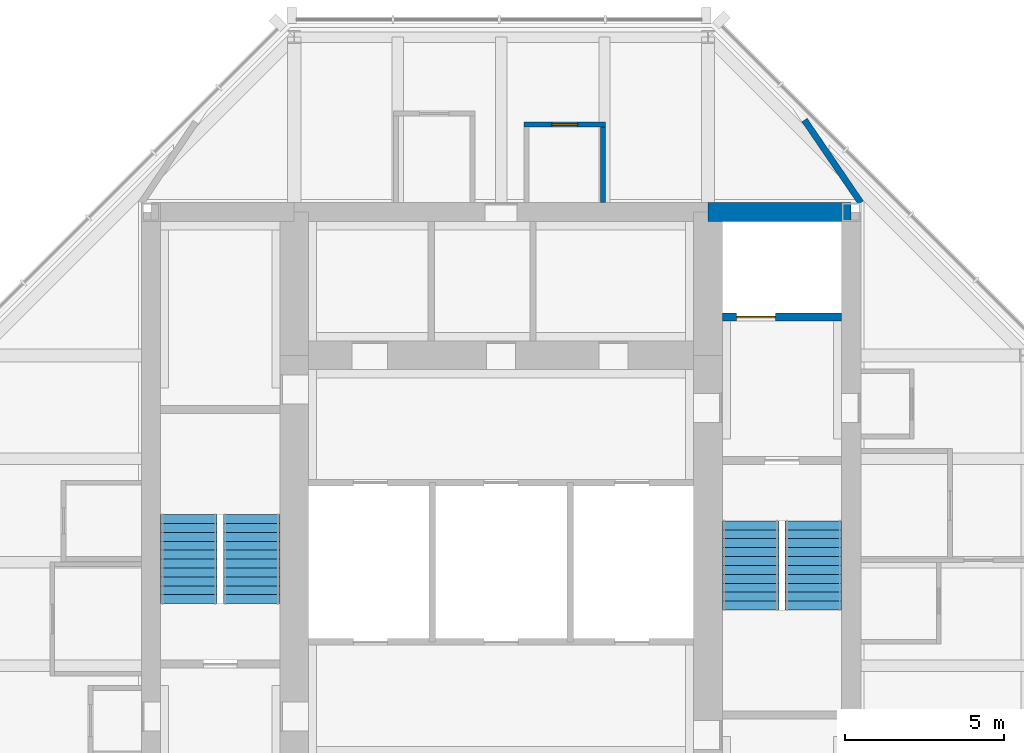
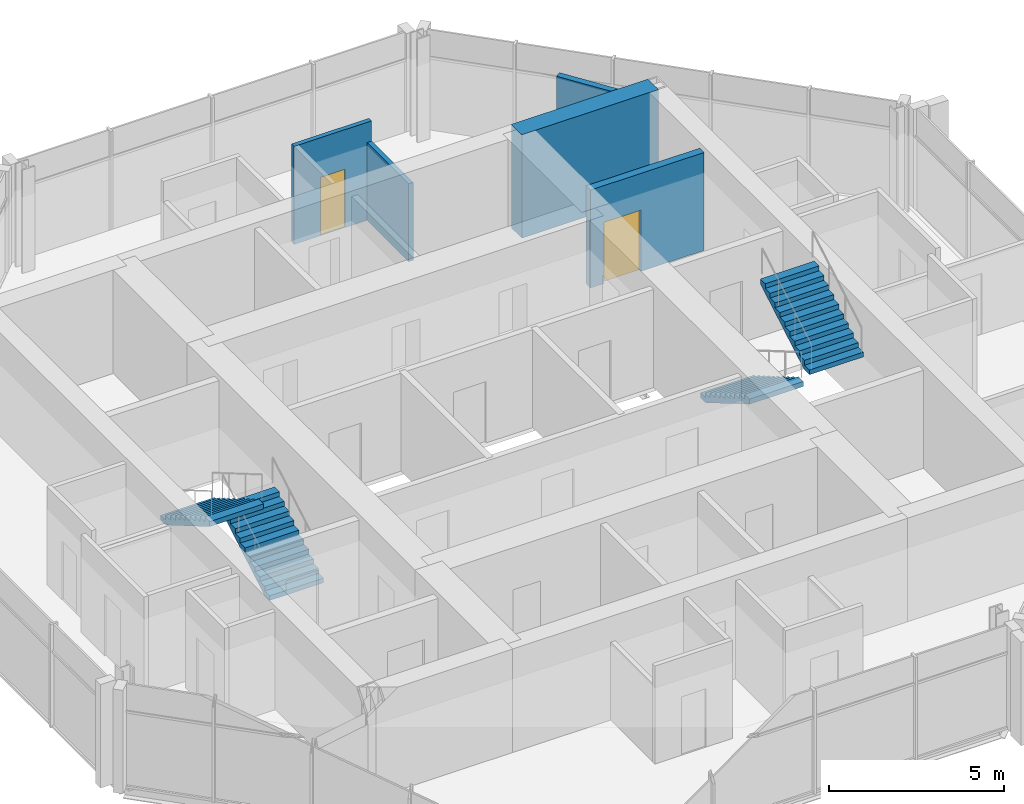
# One storey, part 7 of 8: 5 walls, 4 stair flights, 2 doors, 2 openings, 2 elements without a shape of their own.
"""IFC4 building model written with IfcOpenShell, lengths in metres."""

from ifc_helpers import new_model, si_unit, direction, frame, frame_2d, origin, place, context, subcontext, project, spatial, polyline, rectangle, outline, extrude, material, layer, layer_set, type_object, element, fill, aggregate, save


model = new_model("IFC4")

# Units and contexts
model_context = context("Model", 3, precision=1e-05, world=origin(), true_north=direction((0.0, 1.0)))
body_context = subcontext(model_context, "Body", "Model", "MODEL_VIEW")
ifc_project = project(units=[si_unit("LENGTHUNIT", "METRE"), si_unit("AREAUNIT", "SQUARE_METRE"), si_unit("VOLUMEUNIT", "CUBIC_METRE"), si_unit("PLANEANGLEUNIT", "RADIAN"), si_unit("MASSUNIT", "GRAM", prefix="KILO")], contexts=[model_context])

# Site, building, storey
site_placement = place(None, origin())
site = spatial("IfcSite", under=ifc_project, at=site_placement, CompositionType="ELEMENT")
building_placement = place(site_placement, origin())
building = spatial("IfcBuilding", under=site, at=building_placement, Name="Trevanion Tower", CompositionType="ELEMENT")
storey_placement = place(building_placement, frame((0.0, 0.0, 266.800048828125)))
storey = spatial("IfcBuildingStorey", under=building, at=storey_placement, Name="L65", CompositionType="ELEMENT", Elevation=266.800048828125)

# Wall
ifc_material_1 = material(Name="Concrete 10,000 psi", Category="concrete")
ifc_layer_1 = layer(ifc_material_1, 0.60009765625)
ifc_layer_set_1 = layer_set([ifc_layer_1], Name="CW1 core wall 600")
wall_type_1 = type_object("IfcWallType", Name="CW1 core wall 600", PredefinedType="SHEAR", material=ifc_layer_set_1)
wall_1_placement = place(storey_placement, frame((11.0, 11.0, 0.0), z_axis=(0.0, 0.0, 1.0), x_axis=(-1.0, 0.0, 0.0)))
element("IfcWall", 1, at=wall_1_placement, inside=storey, type_object=wall_type_1, Name="CW1 CN1 L65", PredefinedType="SHEAR", context=body_context, shape_type="SweptSolid", body=[
    extrude(rectangle(XDim=4.5, YDim=0.60009765625, at=frame_2d((2.25, 0.0))), origin(), (0.0, 0.0, 1.0), 3.599853515625),
])

# Wall, opening, door
ifc_material_2 = material(Name="Gypsum board on steel studs", Category="steel")
ifc_layer_2 = layer(ifc_material_2, 0.14990234375)
ifc_layer_set_2 = layer_set([ifc_layer_2], Name="PT1 partition 150")
wall_type_2 = type_object("IfcWallType", Name="PT1 partition 150", PredefinedType="PARTITIONING", material=ifc_layer_set_2)
wall_2_placement = place(storey_placement, frame((3.27490234375, 13.75, 0.0), z_axis=(0.0, 0.0, 1.0), x_axis=(-1.0, 0.0, 0.0)))
wall_2 = element("IfcWall", 2, at=wall_2_placement, inside=storey, type_object=wall_type_2, Name="PT1 L65 RNTF", PredefinedType="PARTITIONING", context=body_context, shape_type="SweptSolid", body=[
    extrude(rectangle(XDim=2.5498046875, YDim=0.14990234375, at=frame_2d((1.27490234375, 0.0))), origin(), (0.0, 0.0, 1.0), 3.409912109375),
])
opening_1_placement = place(wall_2_placement, frame((0.868408203125, 0.0, 0.0)))
opening_1 = element("IfcOpeningElement", 3, at=opening_1_placement, cuts=wall_2, Name="Opening 65-031", PredefinedType="OPENING", context=body_context, shape_type="SweptSolid", body=[
    extrude(rectangle(XDim=0.81298828125, YDim=2.031982421875, at=frame_2d((0.406494140625, 1.01611328125))), frame((0.0, 0.0849609375, 0.0), z_axis=(0.0, -1.0, 0.0), x_axis=(1.0, 0.0, 0.0)), (0.0, 0.0, 1.0), 0.169921875),
])
ifc_material_3 = material(Name="Timber veneer", Category="wood")
door_type_1 = type_object("IfcDoorType", Name="D14 residence bathroom door", OperationType="SINGLE_SWING_LEFT", PredefinedType="DOOR", material=ifc_material_3)
door_1_placement = place(opening_1_placement, origin())
door_1 = element("IfcDoor", 4, at=door_1_placement, inside=storey, type_object=door_type_1, Name="Door 65-031", OperationType="SINGLE_SWING_LEFT", OverallHeight=2.031982421875, OverallWidth=0.81298828125, PredefinedType="DOOR", context=body_context, shape_type="SweptSolid", body=[
    extrude(rectangle(XDim=0.81298828125, YDim=2.031982421875, at=frame_2d((0.406494140625, 1.01611328125))), frame((0.0, 0.02490234375, 0.0), z_axis=(0.0, -1.0, 0.0), x_axis=(1.0, 0.0, 0.0)), (0.0, 0.0, 1.0), 0.050048828125),
])
fill(opening_1, door_1)

# Walls
wall_3_placement = place(storey_placement, frame((3.199951171875, 11.300048828125, 0.0), z_axis=(0.0, 0.0, 1.0), x_axis=(0.0, 1.0, 0.0)))
element("IfcWall", 5, at=wall_3_placement, inside=storey, type_object=wall_type_2, Name="PT1 L65 RNTA", PredefinedType="PARTITIONING", context=body_context, shape_type="SweptSolid", body=[
    extrude(rectangle(XDim=2.375, YDim=0.14990234375, at=frame_2d((1.1875, 0.0))), origin(), (0.0, 0.0, 1.0), 2.708984375),
])
ifc_material_4 = material(Name="Concrete masonry, grouted", Category="masonry")
ifc_layer_3 = layer(ifc_material_4, 0.199951171875)
ifc_layer_set_3 = layer_set([ifc_layer_3], Name="PT2 partition 200 1 HR")
wall_type_3 = type_object("IfcWallType", Name="PT2 partition 200 1 HR", PredefinedType="PARTITIONING", material=ifc_layer_set_3)
wall_4_placement = place(storey_placement, frame((11.300048828125, 11.300048828125, 0.0), z_axis=(0.0, 0.0, 1.0), x_axis=(-0.563469639691, 0.826136771453, 0.0)))
element("IfcWall", 6, at=wall_4_placement, inside=storey, type_object=wall_type_3, Name="PT2 L65 UB0", PredefinedType="PARTITIONING", context=body_context, shape_type="SweptSolid", body=[
    extrude(rectangle(XDim=3.136962890625, YDim=0.199951171875, at=frame_2d((1.568359375, 0.0))), origin(), (0.0, 0.0, 1.0), 2.703857421875),
])

# Wall, opening, door
ifc_material_5 = material(Name="Concrete masonry, grouted, two-hour", Category="masonry")
ifc_layer_4 = layer(ifc_material_5, 0.25)
ifc_layer_set_4 = layer_set([ifc_layer_4], Name="PT3 partition 250 2 HR")
wall_type_4 = type_object("IfcWallType", Name="PT3 partition 250 2 HR", PredefinedType="PARTITIONING", material=ifc_layer_set_4)
wall_5_placement = place(storey_placement, frame((6.949951171875, 7.699951171875, 0.0), z_axis=(0.0, 0.0, 1.0), x_axis=(1.0, 0.0, 0.0)))
wall_5 = element("IfcWall", 7, at=wall_5_placement, inside=storey, type_object=wall_type_4, Name="PT3 L65 EP3", PredefinedType="PARTITIONING", context=body_context, shape_type="SweptSolid", body=[
    extrude(rectangle(XDim=3.75, YDim=0.25, at=frame_2d((1.875, 0.0))), origin(), (0.0, 0.0, 1.0), 3.409912109375),
])
opening_2_placement = place(wall_5_placement, frame((0.449951171875, 0.0, 0.0)))
opening_2 = element("IfcOpeningElement", 8, at=opening_2_placement, cuts=wall_5, Name="Opening 65-007", PredefinedType="OPENING", context=body_context, shape_type="SweptSolid", body=[
    extrude(rectangle(XDim=1.218994140625, YDim=2.134033203125, at=frame_2d((0.609375, 1.06689453125))), frame((0.0, 0.135009765625, 0.0), z_axis=(0.0, -1.0, 0.0), x_axis=(1.0, 0.0, 0.0)), (0.0, 0.0, 1.0), 0.27001953125),
])
ifc_material_6 = material(Name="Stainless steel, fire rated", Category="steel")
door_type_2 = type_object("IfcDoorType", Name="LD2 fire service lift landing door", OperationType="SLIDING_TO_LEFT", PredefinedType="DOOR", material=ifc_material_6)
door_2_placement = place(opening_2_placement, origin())
door_2 = element("IfcDoor", 9, at=door_2_placement, inside=storey, type_object=door_type_2, Name="Door 65-007", OperationType="SLIDING_TO_LEFT", OverallHeight=2.134033203125, OverallWidth=1.218994140625, PredefinedType="DOOR", context=body_context, shape_type="SweptSolid", body=[
    extrude(rectangle(XDim=1.218994140625, YDim=2.134033203125, at=frame_2d((0.609375, 1.06689453125))), frame((0.0, 0.02490234375, 0.0), z_axis=(0.0, -1.0, 0.0), x_axis=(1.0, 0.0, 0.0)), (0.0, 0.0, 1.0), 0.050048828125),
])
fill(opening_2, door_2)

# Stair, stair flights
ifc_material_7 = material(Name="Concrete 5,000 psi on steel stringers", Category="concrete")
stair_type = type_object("IfcStairType", Name="ST stair", PredefinedType="HALF_TURN_STAIR", material=ifc_material_7)
stair_1_placement = place(storey_placement, origin())
stair_1 = element("IfcStair", 10, at=stair_1_placement, inside=storey, type_object=stair_type, Name="ST1 L65", PredefinedType="HALF_TURN_STAIR")
ifc_material_8 = material(Name="Concrete 5,000 psi in steel pan", Category="concrete")
stair_flight_type = type_object("IfcStairFlightType", Name="STF stair flight", PredefinedType="STRAIGHT", material=ifc_material_8)
stair_flight_1_placement = place(storey_placement, frame((7.83740234375, 1.300048828125, 0.0), z_axis=(0.0, 0.0, 1.0), x_axis=(0.0, -1.0, 0.0)))
stair_flight_1 = element("IfcStairFlight", 11, at=stair_flight_1_placement, type_object=stair_flight_type, Name="ST1 flight 1", NumberOfRisers=11, NumberOfTreads=10, PredefinedType="STRAIGHT", RiserHeight=0.163636364, TreadLength=0.28, context=body_context, shape_type="SweptSolid", body=[
    extrude(outline(polyline([(0.0, 0.0), (0.0, 0.16357421875), (0.280029296875, 0.16357421875), (0.280029296875, 0.327392578125), (0.56005859375, 0.327392578125), (0.56005859375, 0.490966796875), (0.840087890625, 0.490966796875), (0.840087890625, 0.654541015625), (1.1201171875, 0.654541015625), (1.1201171875, 0.818115234375), (1.39990234375, 0.818115234375), (1.39990234375, 0.98193359375), (1.679931640625, 0.98193359375), (1.679931640625, 1.1455078125), (1.9599609375, 1.1455078125), (1.9599609375, 1.30908203125), (2.239990234375, 1.30908203125), (2.239990234375, 1.47265625), (2.52001953125, 1.47265625), (2.52001953125, 1.636474609375), (2.800048828125, 1.636474609375), (2.800048828125, 1.800048828125), (2.800048828125, 1.462646484375), (0.297119140625, 0.0), (0.0, 0.0)])), frame((0.0, 0.887451171875, 0.0), z_axis=(0.0, -1.0, 0.0), x_axis=(1.0, 0.0, 0.0)), (0.0, 0.0, 1.0), 1.77490234375),
])
stair_flight_2_placement = place(storey_placement, frame((9.8125, -1.5, 1.800048828125), z_axis=(0.0, 0.0, 1.0), x_axis=(0.0, 1.0, 0.0)))
stair_flight_2 = element("IfcStairFlight", 12, at=stair_flight_2_placement, type_object=stair_flight_type, Name="ST1 flight 2", NumberOfRisers=11, NumberOfTreads=10, PredefinedType="STRAIGHT", RiserHeight=0.163636364, TreadLength=0.28, context=body_context, shape_type="SweptSolid", body=[
    extrude(outline(polyline([(0.0, 0.0), (0.0, 0.16357421875), (0.280029296875, 0.16357421875), (0.280029296875, 0.327392578125), (0.56005859375, 0.327392578125), (0.56005859375, 0.490966796875), (0.840087890625, 0.490966796875), (0.840087890625, 0.654541015625), (1.1201171875, 0.654541015625), (1.1201171875, 0.818115234375), (1.39990234375, 0.818115234375), (1.39990234375, 0.98193359375), (1.679931640625, 0.98193359375), (1.679931640625, 1.1455078125), (1.9599609375, 1.1455078125), (1.9599609375, 1.30908203125), (2.239990234375, 1.30908203125), (2.239990234375, 1.47265625), (2.52001953125, 1.47265625), (2.52001953125, 1.636474609375), (2.800048828125, 1.636474609375), (2.800048828125, 1.800048828125), (2.800048828125, 1.462646484375), (0.297119140625, 0.0), (0.0, 0.0)])), frame((0.0, 0.887451171875, 0.0), z_axis=(0.0, -1.0, 0.0), x_axis=(1.0, 0.0, 0.0)), (0.0, 0.0, 1.0), 1.77490234375),
])
aggregate(stair_1, [stair_flight_1, stair_flight_2])

stair_2_placement = place(storey_placement, origin())
stair_2 = element("IfcStair", 13, at=stair_2_placement, inside=storey, type_object=stair_type, Name="ST2 L65", PredefinedType="HALF_TURN_STAIR")
stair_flight_3_placement = place(storey_placement, frame((-7.83740234375, -1.300048828125, 0.0), z_axis=(0.0, 0.0, 1.0), x_axis=(0.0, 1.0, 0.0)))
stair_flight_3 = element("IfcStairFlight", 14, at=stair_flight_3_placement, type_object=stair_flight_type, Name="ST2 flight 1", NumberOfRisers=11, NumberOfTreads=10, PredefinedType="STRAIGHT", RiserHeight=0.163636364, TreadLength=0.28, context=body_context, shape_type="SweptSolid", body=[
    extrude(outline(polyline([(0.0, 0.0), (0.0, 0.16357421875), (0.280029296875, 0.16357421875), (0.280029296875, 0.327392578125), (0.56005859375, 0.327392578125), (0.56005859375, 0.490966796875), (0.840087890625, 0.490966796875), (0.840087890625, 0.654541015625), (1.1201171875, 0.654541015625), (1.1201171875, 0.818115234375), (1.39990234375, 0.818115234375), (1.39990234375, 0.98193359375), (1.679931640625, 0.98193359375), (1.679931640625, 1.1455078125), (1.9599609375, 1.1455078125), (1.9599609375, 1.30908203125), (2.239990234375, 1.30908203125), (2.239990234375, 1.47265625), (2.52001953125, 1.47265625), (2.52001953125, 1.636474609375), (2.800048828125, 1.636474609375), (2.800048828125, 1.800048828125), (2.800048828125, 1.462646484375), (0.297119140625, 0.0), (0.0, 0.0)])), frame((0.0, 0.887451171875, 0.0), z_axis=(0.0, -1.0, 0.0), x_axis=(1.0, 0.0, 0.0)), (0.0, 0.0, 1.0), 1.77490234375),
])
stair_flight_4_placement = place(storey_placement, frame((-9.8125, 1.5, 1.800048828125), z_axis=(0.0, 0.0, 1.0), x_axis=(0.0, -1.0, 0.0)))
stair_flight_4 = element("IfcStairFlight", 15, at=stair_flight_4_placement, type_object=stair_flight_type, Name="ST2 flight 2", NumberOfRisers=11, NumberOfTreads=10, PredefinedType="STRAIGHT", RiserHeight=0.163636364, TreadLength=0.28, context=body_context, shape_type="SweptSolid", body=[
    extrude(outline(polyline([(0.0, 0.0), (0.0, 0.16357421875), (0.280029296875, 0.16357421875), (0.280029296875, 0.327392578125), (0.56005859375, 0.327392578125), (0.56005859375, 0.490966796875), (0.840087890625, 0.490966796875), (0.840087890625, 0.654541015625), (1.1201171875, 0.654541015625), (1.1201171875, 0.818115234375), (1.39990234375, 0.818115234375), (1.39990234375, 0.98193359375), (1.679931640625, 0.98193359375), (1.679931640625, 1.1455078125), (1.9599609375, 1.1455078125), (1.9599609375, 1.30908203125), (2.239990234375, 1.30908203125), (2.239990234375, 1.47265625), (2.52001953125, 1.47265625), (2.52001953125, 1.636474609375), (2.800048828125, 1.636474609375), (2.800048828125, 1.800048828125), (2.800048828125, 1.462646484375), (0.297119140625, 0.0), (0.0, 0.0)])), frame((0.0, 0.887451171875, 0.0), z_axis=(0.0, -1.0, 0.0), x_axis=(1.0, 0.0, 0.0)), (0.0, 0.0, 1.0), 1.77490234375),
])
aggregate(stair_2, [stair_flight_3, stair_flight_4])

save(model, "model.ifc")
